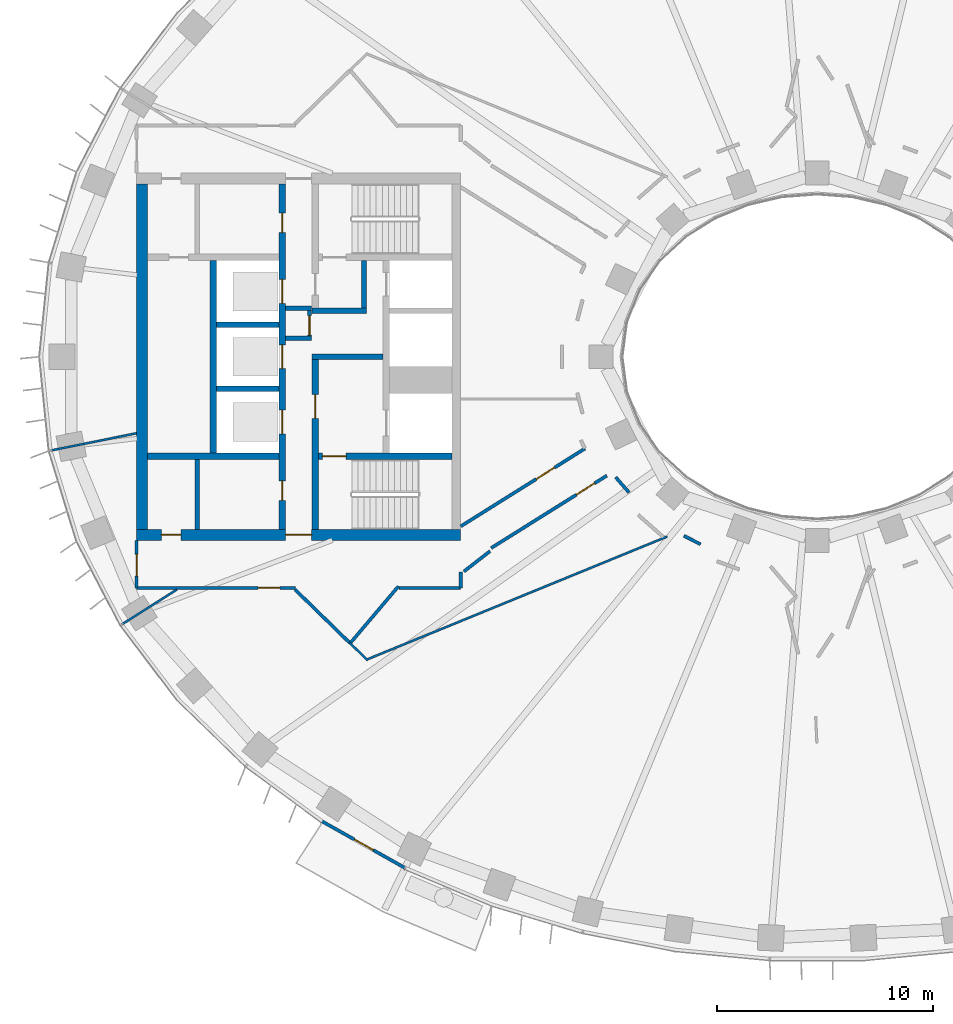
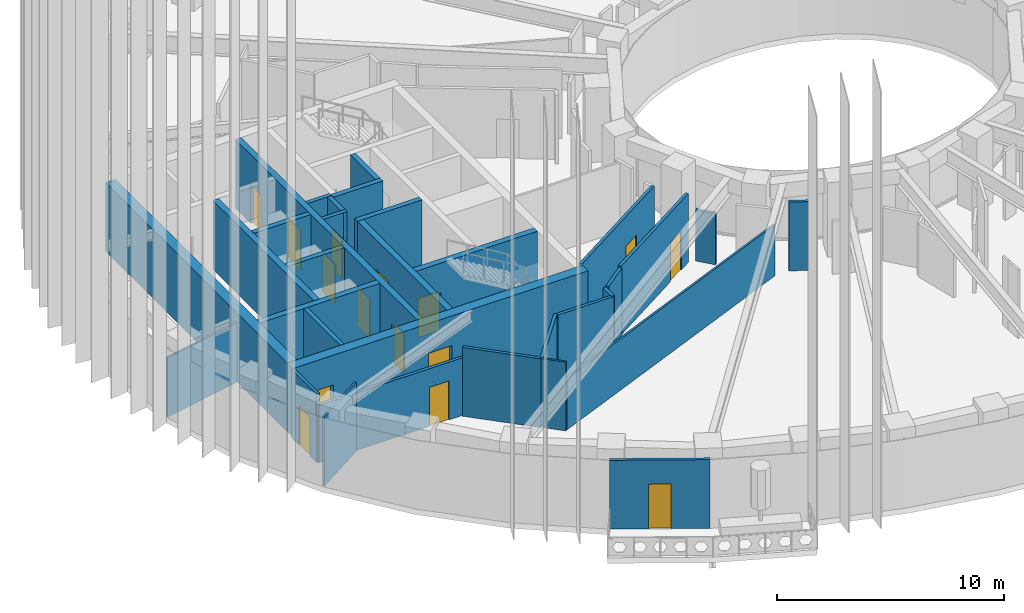
# One storey, part 3 of 19: 32 walls, 15 doors, 15 openings.
"""IFC4 building model written with IfcOpenShell, lengths in metres."""

import ifcopenshell
import ifcopenshell.guid

model = None  # the IFC model being written
_history = None  # IfcOwnerHistory: only IFC2X3 demands one
_inside = {}  # id of a spatial element -> (the spatial element, [elements in it])
_under = {}  # id of a project, library or spatial element -> (it, [spatial elements below it])
_declared = {}  # id of a project -> (the project, [libraries it declares])
_typed = {}  # id of a type object -> (the type object, [elements of that type])
_made_of = {}  # id of a material, layer set ... -> (it, [elements and type objects made of it])


def new_model(schema):
    """Start an empty IFC model of exactly this schema.

    Asked for "IFC4X3", IfcOpenShell would pick the latest addendum, in which some entities
    have other attributes; the version numbers below select the first issue.
    IFC2X3 requires an IfcOwnerHistory on every rooted entity: one is made here for all.
    """
    global model, _history
    if schema == "IFC4X3":
        model = ifcopenshell.file(schema_version=(4, 3, 0, 0))
    else:
        model = ifcopenshell.file(schema=schema)
    _inside.clear()
    _under.clear()
    _declared.clear()
    _typed.clear()
    _made_of.clear()
    _history = None
    if model.schema == "IFC2X3":
        org = make("IfcOrganization", Name="unknown")
        user = make(
            "IfcPersonAndOrganization",
            ThePerson=make("IfcPerson", FamilyName="unknown"),
            TheOrganization=org,
        )
        app = make(
            "IfcApplication",
            ApplicationDeveloper=org,
            Version="unknown",
            ApplicationFullName="unknown",
            ApplicationIdentifier="unknown",
        )
        _history = make(
            "IfcOwnerHistory",
            OwningUser=user,
            OwningApplication=app,
            ChangeAction="ADDED",
            CreationDate=0,
        )
    return model


def make(cls, **values):
    """One entity of the class cls with the attributes given. An attribute that is None is left unset."""
    return model.create_entity(
        cls, **{name: value for name, value in values.items() if value is not None}
    )


def rooted(cls, **values):
    """An entity with a GlobalId (a new one), such as an element, a storey or a relation."""
    return make(cls, GlobalId=ifcopenshell.guid.new(), OwnerHistory=_history, **values)


def si_unit(unit_type, name, prefix=None):
    """IfcSIUnit, for example si_unit("LENGTHUNIT", "METRE", prefix="MILLI")."""
    return make("IfcSIUnit", UnitType=unit_type, Prefix=prefix, Name=name)


def assignment(units):
    """IfcUnitAssignment: the units of a project."""
    return None if units is None else make("IfcUnitAssignment", Units=units)


def point(xyz):
    """IfcCartesianPoint."""
    return None if xyz is None else make("IfcCartesianPoint", Coordinates=xyz)


def direction(xyz):
    """IfcDirection."""
    return None if xyz is None else make("IfcDirection", DirectionRatios=xyz)


def frame(location, z_axis=None, x_axis=None):
    """IfcAxis2Placement3D, a coordinate frame: its origin and axes. An axis left out is left unset."""
    return make(
        "IfcAxis2Placement3D",
        Location=point(location),
        Axis=direction(z_axis),
        RefDirection=direction(x_axis),
    )


def frame_2d(location, x_axis=None):
    """IfcAxis2Placement2D, a coordinate frame in the plane: its origin and x axis."""
    return make(
        "IfcAxis2Placement2D", Location=point(location), RefDirection=direction(x_axis)
    )


def origin():
    """The frame at (0, 0, 0) with its axes left unset."""
    return frame((0.0, 0.0, 0.0))


def place(relative_to, where):
    """IfcLocalPlacement: puts the frame where relative to a parent placement (None: the world)."""
    return make(
        "IfcLocalPlacement", PlacementRelTo=relative_to, RelativePlacement=where
    )


def context(
    kind, dimensions, precision=None, world=None, true_north=None, identifier=None
):
    """IfcGeometricRepresentationContext, for example the 3D "Model" context."""
    return make(
        "IfcGeometricRepresentationContext",
        ContextIdentifier=identifier,
        ContextType=kind,
        CoordinateSpaceDimension=dimensions,
        Precision=precision,
        WorldCoordinateSystem=world,
        TrueNorth=true_north,
    )


def subcontext(parent, identifier, kind, view, scale=None):
    """IfcGeometricRepresentationSubContext, for example "Body" below "Model"."""
    return make(
        "IfcGeometricRepresentationSubContext",
        ContextIdentifier=identifier,
        ContextType=kind,
        ParentContext=parent,
        TargetScale=scale,
        TargetView=view,
    )


def project(units=None, contexts=None):
    """IfcProject with its units and contexts."""
    return rooted(
        "IfcProject",
        Name="project",
        RepresentationContexts=contexts,
        UnitsInContext=assignment(units),
    )


def spatial(cls, under=None, at=None, **own):
    """A site, building, storey or space (cls), placed at a placement, below another one or the project."""
    s = rooted(cls, ObjectPlacement=at, **own)
    if under is not None:
        _under.setdefault(under.id(), (under, []))[1].append(s)
    return s


def profile(cls, at=None, kind="AREA", **sizes):
    """A parametric profile (cls). Its sizes go by their IFC names, for example OverallWidth=200.0."""
    return make(cls, ProfileType=kind, Position=at, **sizes)


def rectangle(**sizes):
    """IfcRectangleProfileDef."""
    return profile("IfcRectangleProfileDef", **sizes)


def extrude(swept, where, along, depth):
    """IfcExtrudedAreaSolid: the profile swept, set in the frame where, extruded along a direction by depth."""
    return make(
        "IfcExtrudedAreaSolid",
        SweptArea=swept,
        Position=where,
        ExtrudedDirection=direction(along),
        Depth=depth,
    )


def shape(context_of_items, identifier, shape_type, items):
    """IfcShapeRepresentation: the items that make up one representation, for example the "Body"."""
    return make(
        "IfcShapeRepresentation",
        ContextOfItems=context_of_items,
        RepresentationIdentifier=identifier,
        RepresentationType=shape_type,
        Items=items,
    )


def material(Name=None, Category=None):
    """IfcMaterial."""
    return make("IfcMaterial", Name=Name, Category=Category)


def layer(
    of_material, thickness, ventilated=None, Name=None, Category=None, Priority=None
):
    """IfcMaterialLayer: one layer of a wall or slab, of a material (None: an air gap)."""
    return make(
        "IfcMaterialLayer",
        Material=of_material,
        LayerThickness=thickness,
        IsVentilated=ventilated,
        Name=Name,
        Category=Category,
        Priority=Priority,
    )


def layer_set(layers, Name=None):
    """IfcMaterialLayerSet."""
    return make("IfcMaterialLayerSet", MaterialLayers=layers, LayerSetName=Name)


def made_of(thing, what):
    """Note that an element or type object is made of a material, layer set ...; save() writes the relation."""
    if what is not None:
        _made_of.setdefault(what.id(), (what, []))[1].append(thing)
    return thing


def type_object(cls, material=None, **own):
    """A type object (cls), such as IfcWallType, which elements share."""
    return made_of(rooted(cls, **own), material)


def element(
    cls,
    number,
    at=None,
    inside=None,
    cuts=None,
    type_object=None,
    material=None,
    context=None,
    identifier="Body",
    shape_type=None,
    held_by="IfcProductDefinitionShape",
    body=None,
    shapes=None,
    **own,
):
    """One element of the class cls, such as IfcWall. Its Tag is "e" and its number.

    at: its placement. inside: the storey or other place that contains it. cuts: it is an
    opening in that element (IfcRelVoidsElement). A single representation is given by context,
    identifier, shape_type and body (its items); several are given by shapes. held_by: the class
    of the entity that holds the representations. save() writes the other relations.
    """
    e = rooted(cls, Tag="e%d" % number, ObjectPlacement=at, **own)
    if body is not None:
        shapes = [shape(context, identifier, shape_type, body)]
    if shapes is not None:
        e.Representation = make(held_by, Representations=shapes)
    if inside is not None:
        _inside.setdefault(inside.id(), (inside, []))[1].append(e)
    if cuts is not None:
        rooted(
            "IfcRelVoidsElement", RelatingBuildingElement=cuts, RelatedOpeningElement=e
        )
    if type_object is not None:
        _typed.setdefault(type_object.id(), (type_object, []))[1].append(e)
    return made_of(e, material)


def fill(opening, filler):
    """IfcRelFillsElement: the door or window that sits in an opening."""
    return rooted(
        "IfcRelFillsElement",
        RelatingOpeningElement=opening,
        RelatedBuildingElement=filler,
    )


def aggregate(whole, parts):
    """IfcRelAggregates: a whole, such as a stair, and the parts it consists of."""
    return rooted("IfcRelAggregates", RelatingObject=whole, RelatedObjects=parts)


def save(model, path):
    """Write the relations noted so far, then the file.

    IfcRelAggregates (storeys below a building ...), IfcRelContainedInSpatialStructure (elements
    in a storey), IfcRelDefinesByType, IfcRelAssociatesMaterial and IfcRelDeclares: one each for
    every whole, place, type object, material and project.
    """
    for whole, parts in _under.values():
        aggregate(whole, parts)
    for where, things in _inside.values():
        rooted(
            "IfcRelContainedInSpatialStructure",
            RelatedElements=things,
            RelatingStructure=where,
        )
    for kind, things in _typed.values():
        rooted("IfcRelDefinesByType", RelatedObjects=things, RelatingType=kind)
    for what, things in _made_of.values():
        rooted("IfcRelAssociatesMaterial", RelatedObjects=things, RelatingMaterial=what)
    for by, libraries in _declared.values():
        rooted("IfcRelDeclares", RelatingContext=by, RelatedDefinitions=libraries)
    model.write(path)


model = new_model("IFC4")

# Units and contexts
model_context = context("Model", 3, precision=1e-05, world=origin(), true_north=direction((0.0, 1.0)))
body_context = subcontext(model_context, "Body", "Model", "MODEL_VIEW")
ifc_project = project(units=[si_unit("LENGTHUNIT", "METRE"), si_unit("AREAUNIT", "SQUARE_METRE"), si_unit("VOLUMEUNIT", "CUBIC_METRE"), si_unit("PLANEANGLEUNIT", "RADIAN"), si_unit("MASSUNIT", "GRAM", prefix="KILO")], contexts=[model_context])

# Site, building, storey
site_placement = place(None, origin())
site = spatial("IfcSite", under=ifc_project, at=site_placement, CompositionType="ELEMENT")
building_placement = place(site_placement, origin())
building = spatial("IfcBuilding", under=site, at=building_placement, Name="Noorbagh Ring Tower", CompositionType="ELEMENT")
storey_placement = place(building_placement, frame((0.0, 0.0, 146.0)))
storey = spatial("IfcBuildingStorey", under=building, at=storey_placement, Name="L33", CompositionType="ELEMENT", Elevation=146.0)

# Walls
ifc_material_1 = material(Name="Gypsum board on steel studs", Category="steel")
ifc_layer_1 = layer(ifc_material_1, 0.199951171875)
ifc_layer_set_1 = layer_set([ifc_layer_1], Name="Gypsum board on steel studs")
wall_type_1 = type_object("IfcWallType", Name="CORE-PARTITION-200", PredefinedType="PARTITIONING", material=ifc_layer_set_1)
for number, where, z_axis, x_axis, name in (
    (1, (-23.39990234375, 0.85009765625, 0.0), (0.0, 0.0, 1.0), (-1.0, 0.0, 0.0), "Core partition W"),
    (2, (-23.39990234375, 2.25, 0.0), (0.0, 0.0, 1.0), (-1.0, 0.0, 0.0), "Core partition W"),
):
    element("IfcWall", number, at=place(storey_placement, frame(where, z_axis=z_axis, x_axis=x_axis)), inside=storey, type_object=wall_type_1, Name=name, PredefinedType="PARTITIONING", context=body_context, shape_type="SweptSolid", body=[
        extrude(rectangle(XDim=1.2001953125, YDim=0.199951171875, at=frame_2d((0.60009765625, 0.0))), origin(), (0.0, 0.0, 1.0), 3.699951171875),
    ])

# Wall, opening, door
wall_1_placement = place(storey_placement, frame((-23.5, 0.75, 0.0), z_axis=(0.0, 0.0, 1.0), x_axis=(0.0, 1.0, 0.0)))
wall_1 = element("IfcWall", 3, at=wall_1_placement, inside=storey, type_object=wall_type_1, Name="Core partition W", PredefinedType="PARTITIONING", context=body_context, shape_type="SweptSolid", body=[
    extrude(rectangle(XDim=1.60009765625, YDim=0.199951171875, at=frame_2d((0.800048828125, 0.0))), origin(), (0.0, 0.0, 1.0), 3.699951171875),
])
opening_1_placement = place(wall_1_placement, frame((0.25, 0.0, 0.0)))
opening_1 = element("IfcOpeningElement", 4, at=opening_1_placement, cuts=wall_1, Name="Opening L33-CW16", PredefinedType="OPENING", context=body_context, shape_type="SweptSolid", body=[
    extrude(rectangle(XDim=0.89990234375, YDim=2.10009765625, at=frame_2d((0.449951171875, 1.050048828125))), frame((0.0, 0.10986328125, 0.0), z_axis=(0.0, -1.0, 0.0), x_axis=(1.0, 0.0, 0.0)), (0.0, 0.0, 1.0), 0.219970703125),
])
ifc_material_2 = material(Name="Steel door leaf", Category="steel")
door_type_1 = type_object("IfcDoorType", Name="CORE-DOOR-DROOM", OperationType="SINGLE_SWING_LEFT", PredefinedType="DOOR", material=ifc_material_2)
door_1_placement = place(opening_1_placement, origin())
door_1 = element("IfcDoor", 5, at=door_1_placement, inside=storey, type_object=door_type_1, Name="Core room door L33-CW16", OperationType="SINGLE_SWING_RIGHT", OverallHeight=2.10009765625, OverallWidth=0.89990234375, PredefinedType="DOOR", context=body_context, shape_type="SweptSolid", body=[
    extrude(rectangle(XDim=0.89990234375, YDim=2.10009765625, at=frame_2d((0.449951171875, 1.050048828125))), frame((0.0, 0.02490234375, 0.0), z_axis=(0.0, -1.0, 0.0), x_axis=(1.0, 0.0, 0.0)), (0.0, 0.0, 1.0), 0.050048828125),
])
fill(opening_1, door_1)

# Walls
wall_2_placement = place(storey_placement, frame((-28.699951171875, -8.0, 0.0), z_axis=(0.0, 0.0, 1.0), x_axis=(0.0, 1.0, 0.0)))
element("IfcWall", 6, at=wall_2_placement, inside=storey, type_object=wall_type_1, Name="Core partition W", PredefinedType="PARTITIONING", context=body_context, shape_type="SweptSolid", body=[
    extrude(rectangle(XDim=3.25, YDim=0.199951171875, at=frame_2d((1.625, 0.0))), origin(), (0.0, 0.0, 1.0), 3.699951171875),
])
ifc_material_3 = material(Name="Concrete C60/75", Category="concrete")
ifc_layer_2 = layer(ifc_material_3, 0.25)
ifc_layer_set_2 = layer_set([ifc_layer_2], Name="Concrete C60/75")
wall_type_2 = type_object("IfcWallType", Name="CORE-WALL-250-C60-75-EI120", PredefinedType="SHEAR", material=ifc_layer_set_2)
for number, where, z_axis, x_axis, name in (
    (7, (-24.89990234375, -1.47509765625, 0.0), (0.0, 0.0, 1.0), (-1.0, 0.0, 0.0), "Core wall W"),
    (8, (-24.89990234375, 1.47509765625, 0.0), (0.0, 0.0, 1.0), (-1.0, 0.0, 0.0), "Core wall W"),
):
    element("IfcWall", number, at=place(storey_placement, frame(where, z_axis=z_axis, x_axis=x_axis)), inside=storey, type_object=wall_type_2, Name=name, PredefinedType="SHEAR", context=body_context, shape_type="SweptSolid", body=[
        extrude(rectangle(XDim=2.900146484375, YDim=0.25, at=frame_2d((1.4501953125, 0.0))), origin(), (0.0, 0.0, 1.0), 3.699951171875),
    ])
ifc_material_4 = material(Name="Concrete C60/75", Category="concrete")
ifc_layer_3 = layer(ifc_material_4, 0.25)
ifc_layer_set_3 = layer_set([ifc_layer_3], Name="Concrete C60/75")
wall_type_3 = type_object("IfcWallType", Name="CORE-WALL-250-C60-75-EI240", PredefinedType="SHEAR", material=ifc_layer_set_3)
wall_3_placement = place(storey_placement, frame((-20.10009765625, 0.0, 0.0), z_axis=(0.0, 0.0, 1.0), x_axis=(-1.0, 0.0, 0.0)))
element("IfcWall", 9, at=wall_3_placement, inside=storey, type_object=wall_type_3, Name="Core wall W", PredefinedType="SHEAR", context=body_context, shape_type="SweptSolid", body=[
    extrude(rectangle(XDim=3.27978515625, YDim=0.25, at=frame_2d((1.639892578125, 0.0))), origin(), (0.0, 0.0, 1.0), 3.699951171875),
])
wall_4_placement = place(storey_placement, frame((-20.85009765625, 2.125, 0.0), z_axis=(0.0, 0.0, 1.0), x_axis=(-1.0, 0.0, 0.0)))
element("IfcWall", 10, at=wall_4_placement, inside=storey, type_object=wall_type_3, Name="Core wall W", PredefinedType="SHEAR", context=body_context, shape_type="SweptSolid", body=[
    extrude(rectangle(XDim=2.52978515625, YDim=0.25, at=frame_2d((1.264892578125, 0.0))), origin(), (0.0, 0.0, 1.0), 3.699951171875),
])
wall_5_placement = place(storey_placement, frame((-20.97509765625, 2.25, 0.0), z_axis=(0.0, 0.0, 1.0), x_axis=(0.0, 1.0, 0.0)))
element("IfcWall", 11, at=wall_5_placement, inside=storey, type_object=wall_type_3, Name="Core wall W", PredefinedType="SHEAR", context=body_context, shape_type="SweptSolid", body=[
    extrude(rectangle(XDim=2.199951171875, YDim=0.25, at=frame_2d((1.10009765625, 0.0))), origin(), (0.0, 0.0, 1.0), 3.699951171875),
])
ifc_material_5 = material(Name="Concrete C60/75", Category="concrete")
ifc_layer_4 = layer(ifc_material_5, 0.300048828125)
ifc_layer_set_4 = layer_set([ifc_layer_4], Name="Concrete C60/75")
wall_type_4 = type_object("IfcWallType", Name="CORE-WALL-300-C60-75-EI120", PredefinedType="SHEAR", material=ifc_layer_set_4)
wall_6_placement = place(storey_placement, frame((-27.949951171875, -4.449951171875, 0.0), z_axis=(0.0, 0.0, 1.0), x_axis=(0.0, 1.0, 0.0)))
element("IfcWall", 12, at=wall_6_placement, inside=storey, type_object=wall_type_4, Name="Core wall W", PredefinedType="SHEAR", context=body_context, shape_type="SweptSolid", body=[
    extrude(rectangle(XDim=8.89990234375, YDim=0.300048828125, at=frame_2d((4.449951171875, 0.0))), origin(), (0.0, 0.0, 1.0), 3.699951171875),
])

# Wall, openings, doors
wall_7_placement = place(storey_placement, frame((-24.75, -8.0, 0.0), z_axis=(0.0, 0.0, 1.0), x_axis=(0.0, 1.0, 0.0)))
wall_7 = element("IfcWall", 13, at=wall_7_placement, inside=storey, type_object=wall_type_4, Name="Core wall W", PredefinedType="SHEAR", context=body_context, shape_type="SweptSolid", body=[
    extrude(rectangle(XDim=16.0, YDim=0.300048828125, at=frame_2d((8.0, 0.0))), origin(), (0.0, 0.0, 1.0), 3.699951171875),
])
opening_2_placement = place(wall_7_placement, frame((4.425048828125, 0.0, 0.0)))
opening_2 = element("IfcOpeningElement", 14, at=opening_2_placement, cuts=wall_7, Name="Opening L33-CW03", PredefinedType="OPENING", context=body_context, shape_type="SweptSolid", body=[
    extrude(rectangle(XDim=1.10009765625, YDim=2.10009765625, at=frame_2d((0.550048828125, 1.050048828125))), frame((0.0, 0.16015625, 0.0), z_axis=(0.0, -1.0, 0.0), x_axis=(1.0, 0.0, 0.0)), (0.0, 0.0, 1.0), 0.320068359375),
])
opening_3_placement = place(wall_7_placement, frame((7.449951171875, 0.0, 0.0)))
opening_3 = element("IfcOpeningElement", 15, at=opening_3_placement, cuts=wall_7, Name="Opening L33-CW04", PredefinedType="OPENING", context=body_context, shape_type="SweptSolid", body=[
    extrude(rectangle(XDim=1.10009765625, YDim=2.10009765625, at=frame_2d((0.550048828125, 1.050048828125))), frame((0.0, 0.16015625, 0.0), z_axis=(0.0, -1.0, 0.0), x_axis=(1.0, 0.0, 0.0)), (0.0, 0.0, 1.0), 0.320068359375),
])
opening_4_placement = place(wall_7_placement, frame((10.47509765625, 0.0, 0.0)))
opening_4 = element("IfcOpeningElement", 16, at=opening_4_placement, cuts=wall_7, Name="Opening L33-CW05", PredefinedType="OPENING", context=body_context, shape_type="SweptSolid", body=[
    extrude(rectangle(XDim=1.10009765625, YDim=2.10009765625, at=frame_2d((0.550048828125, 1.050048828125))), frame((0.0, 0.16015625, 0.0), z_axis=(0.0, -1.0, 0.0), x_axis=(1.0, 0.0, 0.0)), (0.0, 0.0, 1.0), 0.320068359375),
])
opening_5_placement = place(wall_7_placement, frame((13.75, 0.0, 0.0)))
opening_5 = element("IfcOpeningElement", 17, at=opening_5_placement, cuts=wall_7, Name="Opening L33-CW12", PredefinedType="OPENING", context=body_context, shape_type="SweptSolid", body=[
    extrude(rectangle(XDim=0.89990234375, YDim=2.10009765625, at=frame_2d((0.449951171875, 1.050048828125))), frame((0.0, 0.16015625, 0.0), z_axis=(0.0, -1.0, 0.0), x_axis=(1.0, 0.0, 0.0)), (0.0, 0.0, 1.0), 0.320068359375),
])
opening_6_placement = place(wall_7_placement, frame((1.35009765625, 0.0, 0.0)))
opening_6 = element("IfcOpeningElement", 18, at=opening_6_placement, cuts=wall_7, Name="Opening L33-CW14", PredefinedType="OPENING", context=body_context, shape_type="SweptSolid", body=[
    extrude(rectangle(XDim=0.89990234375, YDim=2.10009765625, at=frame_2d((0.449951171875, 1.050048828125))), frame((0.0, 0.16015625, 0.0), z_axis=(0.0, -1.0, 0.0), x_axis=(1.0, 0.0, 0.0)), (0.0, 0.0, 1.0), 0.320068359375),
])
door_2_placement = place(opening_5_placement, origin())
door_2 = element("IfcDoor", 19, at=door_2_placement, inside=storey, type_object=door_type_1, Name="Core room door L33-CW12", OperationType="SINGLE_SWING_RIGHT", OverallHeight=2.10009765625, OverallWidth=0.89990234375, PredefinedType="DOOR", context=body_context, shape_type="SweptSolid", body=[
    extrude(rectangle(XDim=0.89990234375, YDim=2.10009765625, at=frame_2d((0.449951171875, 1.050048828125))), frame((0.0, 0.02490234375, 0.0), z_axis=(0.0, -1.0, 0.0), x_axis=(1.0, 0.0, 0.0)), (0.0, 0.0, 1.0), 0.050048828125),
])
fill(opening_5, door_2)
door_3_placement = place(opening_6_placement, origin())
door_3 = element("IfcDoor", 20, at=door_3_placement, inside=storey, type_object=door_type_1, Name="Core room door L33-CW14", OperationType="SINGLE_SWING_LEFT", OverallHeight=2.10009765625, OverallWidth=0.89990234375, PredefinedType="DOOR", context=body_context, shape_type="SweptSolid", body=[
    extrude(rectangle(XDim=0.89990234375, YDim=2.10009765625, at=frame_2d((0.449951171875, 1.050048828125))), frame((0.0, 0.02490234375, 0.0), z_axis=(0.0, -1.0, 0.0), x_axis=(1.0, 0.0, 0.0)), (0.0, 0.0, 1.0), 0.050048828125),
])
fill(opening_6, door_3)
ifc_material_6 = material(Name="Steel door leaf", Category="steel")
door_type_2 = type_object("IfcDoorType", Name="CORE-DOOR-LD", OperationType="DOUBLE_DOOR_SLIDING", PredefinedType="DOOR", material=ifc_material_6)
door_4_placement = place(opening_2_placement, origin())
door_4 = element("IfcDoor", 21, at=door_4_placement, inside=storey, type_object=door_type_2, Name="Landing door HR2 L33-CW03", OperationType="DOUBLE_DOOR_SLIDING", OverallHeight=2.10009765625, OverallWidth=1.10009765625, PredefinedType="DOOR", context=body_context, shape_type="SweptSolid", body=[
    extrude(rectangle(XDim=1.10009765625, YDim=2.10009765625, at=frame_2d((0.550048828125, 1.050048828125))), frame((0.0, 0.02490234375, 0.0), z_axis=(0.0, -1.0, 0.0), x_axis=(1.0, 0.0, 0.0)), (0.0, 0.0, 1.0), 0.050048828125),
])
fill(opening_2, door_4)
door_5_placement = place(opening_3_placement, origin())
door_5 = element("IfcDoor", 22, at=door_5_placement, inside=storey, type_object=door_type_2, Name="Landing door HR3 L33-CW04", OperationType="DOUBLE_DOOR_SLIDING", OverallHeight=2.10009765625, OverallWidth=1.10009765625, PredefinedType="DOOR", context=body_context, shape_type="SweptSolid", body=[
    extrude(rectangle(XDim=1.10009765625, YDim=2.10009765625, at=frame_2d((0.550048828125, 1.050048828125))), frame((0.0, 0.02490234375, 0.0), z_axis=(0.0, -1.0, 0.0), x_axis=(1.0, 0.0, 0.0)), (0.0, 0.0, 1.0), 0.050048828125),
])
fill(opening_3, door_5)
door_6_placement = place(opening_4_placement, origin())
door_6 = element("IfcDoor", 23, at=door_6_placement, inside=storey, type_object=door_type_2, Name="Landing door HR4 L33-CW05", OperationType="DOUBLE_DOOR_SLIDING", OverallHeight=2.10009765625, OverallWidth=1.10009765625, PredefinedType="DOOR", context=body_context, shape_type="SweptSolid", body=[
    extrude(rectangle(XDim=1.10009765625, YDim=2.10009765625, at=frame_2d((0.550048828125, 1.050048828125))), frame((0.0, 0.02490234375, 0.0), z_axis=(0.0, -1.0, 0.0), x_axis=(1.0, 0.0, 0.0)), (0.0, 0.0, 1.0), 0.050048828125),
])
fill(opening_4, door_6)

# Wall
ifc_material_7 = material(Name="Concrete C60/75", Category="concrete")
ifc_layer_5 = layer(ifc_material_7, 0.300048828125)
ifc_layer_set_5 = layer_set([ifc_layer_5], Name="Concrete C60/75")
wall_type_5 = type_object("IfcWallType", Name="CORE-WALL-300-C60-75-EI240", PredefinedType="SHEAR", material=ifc_layer_set_5)
wall_8_placement = place(storey_placement, frame((-24.89990234375, -4.60009765625, 0.0), z_axis=(0.0, 0.0, 1.0), x_axis=(-1.0, 0.0, 0.0)))
element("IfcWall", 24, at=wall_8_placement, inside=storey, type_object=wall_type_5, Name="Core wall W", PredefinedType="SHEAR", context=body_context, shape_type="SweptSolid", body=[
    extrude(rectangle(XDim=6.10009765625, YDim=0.300048828125, at=frame_2d((3.050048828125, 0.0))), origin(), (0.0, 0.0, 1.0), 3.699951171875),
])

# Wall, opening, door
wall_9_placement = place(storey_placement, frame((-23.22998046875, -8.0, 0.0), z_axis=(0.0, 0.0, 1.0), x_axis=(0.0, 1.0, 0.0)))
wall_9 = element("IfcWall", 25, at=wall_9_placement, inside=storey, type_object=wall_type_5, Name="Core wall W", PredefinedType="SHEAR", context=body_context, shape_type="SweptSolid", body=[
    extrude(rectangle(XDim=7.875, YDim=0.300048828125, at=frame_2d((3.9375, 0.0))), origin(), (0.0, 0.0, 1.0), 3.699951171875),
])
opening_7_placement = place(wall_9_placement, frame((5.14990234375, 0.0, 0.0)))
opening_7 = element("IfcOpeningElement", 26, at=opening_7_placement, cuts=wall_9, Name="Opening L33-CW08", PredefinedType="OPENING", context=body_context, shape_type="SweptSolid", body=[
    extrude(rectangle(XDim=1.10009765625, YDim=2.10009765625, at=frame_2d((0.550048828125, 1.050048828125))), frame((0.0, 0.16015625, 0.0), z_axis=(0.0, -1.0, 0.0), x_axis=(1.0, 0.0, 0.0)), (0.0, 0.0, 1.0), 0.320068359375),
])
ifc_material_8 = material(Name="Steel door leaf", Category="steel")
door_type_3 = type_object("IfcDoorType", Name="CORE-DOOR-DFF", OperationType="SINGLE_SWING_LEFT", PredefinedType="DOOR", material=ifc_material_8)
door_7_placement = place(opening_7_placement, origin())
door_7 = element("IfcDoor", 27, at=door_7_placement, inside=storey, type_object=door_type_3, Name="Firefighting lobby door L33-CW08", OperationType="SINGLE_SWING_LEFT", OverallHeight=2.10009765625, OverallWidth=1.10009765625, PredefinedType="DOOR", context=body_context, shape_type="SweptSolid", body=[
    extrude(rectangle(XDim=1.10009765625, YDim=2.10009765625, at=frame_2d((0.550048828125, 1.050048828125))), frame((0.0, 0.02490234375, 0.0), z_axis=(0.0, -1.0, 0.0), x_axis=(1.0, 0.0, 0.0)), (0.0, 0.0, 1.0), 0.050048828125),
])
fill(opening_7, door_7)

wall_10_placement = place(storey_placement, frame((-16.89990234375, -4.60009765625, 0.0), z_axis=(0.0, 0.0, 1.0), x_axis=(-1.0, 0.0, 0.0)))
wall_10 = element("IfcWall", 28, at=wall_10_placement, inside=storey, type_object=wall_type_5, Name="Core wall W", PredefinedType="SHEAR", context=body_context, shape_type="SweptSolid", body=[
    extrude(rectangle(XDim=6.18017578125, YDim=0.300048828125, at=frame_2d((3.090087890625, 0.0))), origin(), (0.0, 0.0, 1.0), 3.699951171875),
])
opening_8_placement = place(wall_10_placement, frame((4.89990234375, 0.0, 0.0)))
opening_8 = element("IfcOpeningElement", 29, at=opening_8_placement, cuts=wall_10, Name="Opening L33-CW07", PredefinedType="OPENING", context=body_context, shape_type="SweptSolid", body=[
    extrude(rectangle(XDim=1.10009765625, YDim=2.10009765625, at=frame_2d((0.550048828125, 1.050048828125))), frame((0.0, 0.16015625, 0.0), z_axis=(0.0, -1.0, 0.0), x_axis=(1.0, 0.0, 0.0)), (0.0, 0.0, 1.0), 0.320068359375),
])
ifc_material_9 = material(Name="Steel door leaf", Category="steel")
door_type_4 = type_object("IfcDoorType", Name="CORE-DOOR-DSTAIR", OperationType="SINGLE_SWING_LEFT", PredefinedType="DOOR", material=ifc_material_9)
door_8_placement = place(opening_8_placement, origin())
door_8 = element("IfcDoor", 30, at=door_8_placement, inside=storey, type_object=door_type_4, Name="Stair door ST2 L33-CW07", OperationType="SINGLE_SWING_LEFT", OverallHeight=2.10009765625, OverallWidth=1.10009765625, PredefinedType="DOOR", context=body_context, shape_type="SweptSolid", body=[
    extrude(rectangle(XDim=1.10009765625, YDim=2.10009765625, at=frame_2d((0.550048828125, 1.050048828125))), frame((0.0, 0.02490234375, 0.0), z_axis=(0.0, -1.0, 0.0), x_axis=(1.0, 0.0, 0.0)), (0.0, 0.0, 1.0), 0.050048828125),
])
fill(opening_8, door_8)

# Wall, openings, doors
ifc_material_10 = material(Name="Concrete C60/75", Category="concrete")
ifc_layer_6 = layer(ifc_material_10, 0.5)
ifc_layer_set_6 = layer_set([ifc_layer_6], Name="Concrete C60/75")
wall_type_6 = type_object("IfcWallType", Name="CORE-WALL-500-C60-75-EI240", PredefinedType="SHEAR", material=ifc_layer_set_6)
wall_11_placement = place(storey_placement, frame((-16.5, -8.25, 0.0), z_axis=(0.0, 0.0, 1.0), x_axis=(-1.0, 0.0, 0.0)))
wall_11 = element("IfcWall", 31, at=wall_11_placement, inside=storey, type_object=wall_type_6, Name="Core wall W", PredefinedType="SHEAR", context=body_context, shape_type="SweptSolid", body=[
    extrude(rectangle(XDim=15.0, YDim=0.5, at=frame_2d((7.5, 0.0))), origin(), (0.0, 0.0, 1.0), 3.699951171875),
])
opening_9_placement = place(wall_11_placement, frame((6.89990234375, 0.0, 0.0)))
opening_9 = element("IfcOpeningElement", 32, at=opening_9_placement, cuts=wall_11, Name="Opening L33-CW11", PredefinedType="OPENING", context=body_context, shape_type="SweptSolid", body=[
    extrude(rectangle(XDim=1.199951171875, YDim=2.10009765625, at=frame_2d((0.60009765625, 1.050048828125))), frame((0.0, 0.260009765625, 0.0), z_axis=(0.0, -1.0, 0.0), x_axis=(1.0, 0.0, 0.0)), (0.0, 0.0, 1.0), 0.52001953125),
])
opening_10_placement = place(wall_11_placement, frame((12.949951171875, 0.0, 0.0)))
opening_10 = element("IfcOpeningElement", 33, at=opening_10_placement, cuts=wall_11, Name="Opening L33-CW15", PredefinedType="OPENING", context=body_context, shape_type="SweptSolid", body=[
    extrude(rectangle(XDim=0.89990234375, YDim=2.10009765625, at=frame_2d((0.449951171875, 1.050048828125))), frame((0.0, 0.260009765625, 0.0), z_axis=(0.0, -1.0, 0.0), x_axis=(1.0, 0.0, 0.0)), (0.0, 0.0, 1.0), 0.52001953125),
])
door_9_placement = place(opening_10_placement, origin())
door_9 = element("IfcDoor", 34, at=door_9_placement, inside=storey, type_object=door_type_1, Name="Core room door L33-CW15", OperationType="SINGLE_SWING_LEFT", OverallHeight=2.10009765625, OverallWidth=0.89990234375, PredefinedType="DOOR", context=body_context, shape_type="SweptSolid", body=[
    extrude(rectangle(XDim=0.89990234375, YDim=2.10009765625, at=frame_2d((0.449951171875, 1.050048828125))), frame((0.0, 0.02490234375, 0.0), z_axis=(0.0, -1.0, 0.0), x_axis=(1.0, 0.0, 0.0)), (0.0, 0.0, 1.0), 0.050048828125),
])
fill(opening_10, door_9)
ifc_material_11 = material(Name="Steel door leaf", Category="steel")
door_type_5 = type_object("IfcDoorType", Name="CORE-DOOR-PORT", OperationType="DOUBLE_DOOR_DOUBLE_SWING", PredefinedType="DOOR", material=ifc_material_11)
door_10_placement = place(opening_9_placement, origin())
door_10 = element("IfcDoor", 35, at=door_10_placement, inside=storey, type_object=door_type_5, Name="Core entrance door L33-CW11", OperationType="DOUBLE_DOOR_DOUBLE_SWING", OverallHeight=2.10009765625, OverallWidth=1.199951171875, PredefinedType="DOOR", context=body_context, shape_type="SweptSolid", body=[
    extrude(rectangle(XDim=1.199951171875, YDim=2.10009765625, at=frame_2d((0.60009765625, 1.050048828125))), frame((0.0, 0.02490234375, 0.0), z_axis=(0.0, -1.0, 0.0), x_axis=(1.0, 0.0, 0.0)), (0.0, 0.0, 1.0), 0.050048828125),
])
fill(opening_9, door_10)

# Wall
wall_12_placement = place(storey_placement, frame((-31.25, -8.0, 0.0), z_axis=(0.0, 0.0, 1.0), x_axis=(0.0, 1.0, 0.0)))
element("IfcWall", 36, at=wall_12_placement, inside=storey, type_object=wall_type_6, Name="Core wall W", PredefinedType="SHEAR", context=body_context, shape_type="SweptSolid", body=[
    extrude(rectangle(XDim=16.0, YDim=0.5, at=frame_2d((8.0, 0.0))), origin(), (0.0, 0.0, 1.0), 3.699951171875),
])

# Wall, opening, door
ifc_material_12 = material(Name="Gypsum board on steel studs", Category="steel")
ifc_layer_7 = layer(ifc_material_12, 0.14990234375)
ifc_layer_set_7 = layer_set([ifc_layer_7], Name="Gypsum board on steel studs")
wall_type_7 = type_object("IfcWallType", Name="CORRIDOR PARTITION 150 EI 30", PredefinedType="PARTITIONING", material=ifc_layer_set_7)
wall_13_placement = place(storey_placement, frame((-31.5, -10.699951171875, 0.0), z_axis=(0.0, 0.0, 1.0), x_axis=(0.0, 1.0, 0.0)))
wall_13 = element("IfcWall", 37, at=wall_13_placement, inside=storey, type_object=wall_type_7, Name="L33/wall/P04", PredefinedType="PARTITIONING", context=body_context, shape_type="SweptSolid", body=[
    extrude(rectangle(XDim=2.199951171875, YDim=0.14990234375, at=frame_2d((1.10009765625, 0.0))), origin(), (0.0, 0.0, 1.0), 3.699951171875),
])
opening_11_placement = place(wall_13_placement, frame((0.550048828125, 0.0, 0.0)))
opening_11 = element("IfcOpeningElement", 38, at=opening_11_placement, cuts=wall_13, Name="Opening D1", PredefinedType="OPENING", context=body_context, shape_type="SweptSolid", body=[
    extrude(rectangle(XDim=1.0, YDim=2.10009765625, at=frame_2d((0.5, 1.050048828125))), frame((0.0, 0.0849609375, 0.0), z_axis=(0.0, -1.0, 0.0), x_axis=(1.0, 0.0, 0.0)), (0.0, 0.0, 1.0), 0.169921875),
])
ifc_material_13 = material(Name="Timber, painted", Category="wood")
door_type_6 = type_object("IfcDoorType", Name="DOOR 1000 X 2100 FD30", OperationType="SINGLE_SWING_LEFT", PredefinedType="DOOR", material=ifc_material_13)
door_11_placement = place(opening_11_placement, origin())
door_11 = element("IfcDoor", 39, at=door_11_placement, inside=storey, type_object=door_type_6, Name="L33-D06", OperationType="SINGLE_SWING_RIGHT", OverallHeight=2.10009765625, OverallWidth=1.0, PredefinedType="DOOR", context=body_context, shape_type="SweptSolid", body=[
    extrude(rectangle(XDim=1.0, YDim=2.10009765625, at=frame_2d((0.5, 1.050048828125))), frame((0.0, 0.02490234375, 0.0), z_axis=(0.0, -1.0, 0.0), x_axis=(1.0, 0.0, 0.0)), (0.0, 0.0, 1.0), 0.050048828125),
])
fill(opening_11, door_11)

wall_14_placement = place(storey_placement, frame((-31.5, -10.699951171875, 0.0), z_axis=(0.0, 0.0, 1.0), x_axis=(1.0, 0.0, 0.0)))
wall_14 = element("IfcWall", 40, at=wall_14_placement, inside=storey, type_object=wall_type_7, Name="L33/wall/P05", PredefinedType="PARTITIONING", context=body_context, shape_type="SweptSolid", body=[
    extrude(rectangle(XDim=7.361083984375, YDim=0.14990234375, at=frame_2d((3.6806640625, 0.0))), origin(), (0.0, 0.0, 1.0), 3.10009765625),
])
opening_12_placement = place(wall_14_placement, frame((5.62890625, 0.0, 0.0)))
opening_12 = element("IfcOpeningElement", 41, at=opening_12_placement, cuts=wall_14, Name="Opening D1", PredefinedType="OPENING", context=body_context, shape_type="SweptSolid", body=[
    extrude(rectangle(XDim=1.0, YDim=2.10009765625, at=frame_2d((0.5, 1.050048828125))), frame((0.0, 0.0849609375, 0.0), z_axis=(0.0, -1.0, 0.0), x_axis=(1.0, 0.0, 0.0)), (0.0, 0.0, 1.0), 0.169921875),
])
door_12_placement = place(opening_12_placement, origin())
door_12 = element("IfcDoor", 42, at=door_12_placement, inside=storey, type_object=door_type_6, Name="L33-D08", OperationType="SINGLE_SWING_RIGHT", OverallHeight=2.10009765625, OverallWidth=1.0, PredefinedType="DOOR", context=body_context, shape_type="SweptSolid", body=[
    extrude(rectangle(XDim=1.0, YDim=2.10009765625, at=frame_2d((0.5, 1.050048828125))), frame((0.0, 0.02490234375, 0.0), z_axis=(0.0, -1.0, 0.0), x_axis=(1.0, 0.0, 0.0)), (0.0, 0.0, 1.0), 0.050048828125),
])
fill(opening_12, door_12)

# Walls
wall_15_placement = place(storey_placement, frame((-24.166015625, -10.778076171875, 0.0), z_axis=(0.0, 0.0, 1.0), x_axis=(0.715930732039, -0.698171316313, 0.0)))
element("IfcWall", 43, at=wall_15_placement, inside=storey, type_object=wall_type_7, Name="L33/wall/P08", PredefinedType="PARTITIONING", context=body_context, shape_type="SweptSolid", body=[
    extrude(rectangle(XDim=3.560546875, YDim=0.14990234375, at=frame_2d((1.7802734375, 0.0))), origin(), (0.0, 0.0, 1.0), 3.699951171875),
])
wall_16_placement = place(storey_placement, frame((-21.616943359375, -13.263916015625, 0.0), z_axis=(0.0, 0.0, 1.0), x_axis=(0.646521695402, 0.762895600574, 0.0)))
element("IfcWall", 44, at=wall_16_placement, inside=storey, type_object=wall_type_7, Name="L33/wall/P11", PredefinedType="PARTITIONING", context=body_context, shape_type="SweptSolid", body=[
    extrude(rectangle(XDim=3.455322265625, YDim=0.14990234375, at=frame_2d((1.7275390625, 0.0))), origin(), (0.0, 0.0, 1.0), 3.699951171875),
])
wall_17_placement = place(storey_placement, frame((-19.346923828125, -10.699951171875, 0.0), z_axis=(0.0, 0.0, 1.0), x_axis=(1.0, 0.0, 0.0)))
element("IfcWall", 45, at=wall_17_placement, inside=storey, type_object=wall_type_7, Name="L33/wall/P16", PredefinedType="PARTITIONING", context=body_context, shape_type="SweptSolid", body=[
    extrude(rectangle(XDim=2.846923828125, YDim=0.14990234375, at=frame_2d((1.42333984375, 0.0))), origin(), (0.0, 0.0, 1.0), 3.699951171875),
])
wall_18_placement = place(storey_placement, frame((-16.5, -10.699951171875, 0.0), z_axis=(0.0, 0.0, 1.0), x_axis=(0.0, 1.0, 0.0)))
element("IfcWall", 46, at=wall_18_placement, inside=storey, type_object=wall_type_7, Name="L33/wall/P18", PredefinedType="PARTITIONING", context=body_context, shape_type="SweptSolid", body=[
    extrude(rectangle(XDim=0.73583984375, YDim=0.14990234375, at=frame_2d((0.367919921875, 0.0))), origin(), (0.0, 0.0, 1.0), 3.699951171875),
])

# Wall, opening, door
wall_19_placement = place(storey_placement, frame((-16.5, -7.85107421875, 0.0), z_axis=(0.0, 0.0, 1.0), x_axis=(0.847690706888, 0.530490777917, 0.0)))
wall_19 = element("IfcWall", 47, at=wall_19_placement, inside=storey, type_object=wall_type_7, Name="L33/wall/P21", PredefinedType="PARTITIONING", context=body_context, shape_type="SweptSolid", body=[
    extrude(rectangle(XDim=6.78076171875, YDim=0.14990234375, at=frame_2d((3.390380859375, 0.0))), origin(), (0.0, 0.0, 1.0), 3.699951171875),
])
opening_13_placement = place(wall_19_placement, frame((4.130615234375, 0.0, 0.0)))
opening_13 = element("IfcOpeningElement", 48, at=opening_13_placement, cuts=wall_19, Name="Opening D1", PredefinedType="OPENING", context=body_context, shape_type="SweptSolid", body=[
    extrude(rectangle(XDim=1.0, YDim=2.10009765625, at=frame_2d((0.5, 1.050048828125))), frame((0.0, 0.0849609375, 0.0), z_axis=(0.0, -1.0, 0.0), x_axis=(1.0, 0.0, 0.0)), (0.0, 0.0, 1.0), 0.169921875),
])
door_13_placement = place(opening_13_placement, origin())
door_13 = element("IfcDoor", 49, at=door_13_placement, inside=storey, type_object=door_type_6, Name="L33-D15", OperationType="SINGLE_SWING_LEFT", OverallHeight=2.10009765625, OverallWidth=1.0, PredefinedType="DOOR", context=body_context, shape_type="SweptSolid", body=[
    extrude(rectangle(XDim=1.0, YDim=2.10009765625, at=frame_2d((0.5, 1.050048828125))), frame((0.0, 0.02490234375, 0.0), z_axis=(0.0, -1.0, 0.0), x_axis=(1.0, 0.0, 0.0)), (0.0, 0.0, 1.0), 0.050048828125),
])
fill(opening_13, door_13)

wall_20_placement = place(storey_placement, frame((-15.089111328125, -8.85595703125, 0.0), z_axis=(0.0, 0.0, 1.0), x_axis=(0.847611500167, 0.53061732424, 0.0)))
wall_20 = element("IfcWall", 50, at=wall_20_placement, inside=storey, type_object=wall_type_7, Name="L33/wall/P23", PredefinedType="PARTITIONING", context=body_context, shape_type="SweptSolid", body=[
    extrude(rectangle(XDim=6.3154296875, YDim=0.14990234375, at=frame_2d((3.15771484375, 0.0))), origin(), (0.0, 0.0, 1.0), 3.699951171875),
])
opening_14_placement = place(wall_20_placement, frame((4.64990234375, 0.0, 0.0)))
opening_14 = element("IfcOpeningElement", 51, at=opening_14_placement, cuts=wall_20, Name="Opening D1", PredefinedType="OPENING", context=body_context, shape_type="SweptSolid", body=[
    extrude(rectangle(XDim=1.0, YDim=2.10009765625, at=frame_2d((0.5, 1.050048828125))), frame((0.0, 0.0849609375, 0.0), z_axis=(0.0, -1.0, 0.0), x_axis=(1.0, 0.0, 0.0)), (0.0, 0.0, 1.0), 0.169921875),
])
door_14_placement = place(opening_14_placement, origin())
door_14 = element("IfcDoor", 52, at=door_14_placement, inside=storey, type_object=door_type_6, Name="L33-D10", OperationType="SINGLE_SWING_RIGHT", OverallHeight=2.10009765625, OverallWidth=1.0, PredefinedType="DOOR", context=body_context, shape_type="SweptSolid", body=[
    extrude(rectangle(XDim=1.0, YDim=2.10009765625, at=frame_2d((0.5, 1.050048828125))), frame((0.0, 0.02490234375, 0.0), z_axis=(0.0, -1.0, 0.0), x_axis=(1.0, 0.0, 0.0)), (0.0, 0.0, 1.0), 0.050048828125),
])
fill(opening_14, door_14)

# Walls
wall_21_placement = place(storey_placement, frame((-9.324951171875, -5.576904296875, 0.0), z_axis=(0.0, 0.0, 1.0), x_axis=(0.656365478363, -0.754443078578, 0.0)))
element("IfcWall", 53, at=wall_21_placement, inside=storey, type_object=wall_type_7, Name="L33/wall/P30", PredefinedType="PARTITIONING", context=body_context, shape_type="SweptSolid", body=[
    extrude(rectangle(XDim=0.9384765625, YDim=0.14990234375, at=frame_2d((0.46923828125, 0.0))), origin(), (0.0, 0.0, 1.0), 2.75),
])
wall_22_placement = place(storey_placement, frame((-6.16796875, -8.287109375, 0.0), z_axis=(0.0, 0.0, 1.0), x_axis=(0.889307410814, -0.45730988298, 0.0)))
element("IfcWall", 54, at=wall_22_placement, inside=storey, type_object=wall_type_7, Name="L33/wall/P34", PredefinedType="PARTITIONING", context=body_context, shape_type="SweptSolid", body=[
    extrude(rectangle(XDim=0.8681640625, YDim=0.14990234375, at=frame_2d((0.43408203125, 0.0))), origin(), (0.0, 0.0, 1.0), 3.699951171875),
])
wall_23_placement = place(storey_placement, frame((-15.138916015625, -8.9970703125, 0.0), z_axis=(0.0, 0.0, 1.0), x_axis=(-0.788950226826, -0.614457109643, 0.0)))
element("IfcWall", 55, at=wall_23_placement, inside=storey, type_object=wall_type_7, Name="L33/wall/P95", PredefinedType="PARTITIONING", context=body_context, shape_type="SweptSolid", body=[
    extrude(rectangle(XDim=1.53759765625, YDim=0.14990234375, at=frame_2d((0.768798828125, 0.0))), origin(), (0.0, 0.0, 1.0), 3.699951171875),
])

# Wall, opening, door
ifc_material_14 = material(Name="Insulated aluminium clad panel", Category="aluminium")
ifc_layer_8 = layer(ifc_material_14, 0.14990234375)
ifc_layer_set_8 = layer_set([ifc_layer_8], Name="Insulated aluminium clad panel")
wall_type_8 = type_object("IfcWallType", Name="ENV-WALL-DOOR", PredefinedType="STANDARD", material=ifc_layer_set_8)
wall_24_placement = place(storey_placement, frame((-22.913330078125, -21.508544921875, 0.0), z_axis=(0.0, 0.0, 1.0), x_axis=(0.872046572975, -0.489422899509, 0.0)))
wall_24 = element("IfcWall", 56, at=wall_24_placement, inside=storey, type_object=wall_type_8, Name="Balcony door wall chord 30", PredefinedType="STANDARD", context=body_context, shape_type="SweptSolid", body=[
    extrude(rectangle(XDim=4.425537109375, YDim=0.14990234375, at=frame_2d((2.212890625, 0.0))), origin(), (0.0, 0.0, 1.0), 3.699951171875),
])
opening_15_placement = place(wall_24_placement, frame((1.712646484375, 0.0, 0.0)))
opening_15 = element("IfcOpeningElement", 57, at=opening_15_placement, cuts=wall_24, Name="Opening D-BL", PredefinedType="OPENING", context=body_context, shape_type="SweptSolid", body=[
    extrude(rectangle(XDim=1.0, YDim=2.39990234375, at=frame_2d((0.5, 1.199951171875))), frame((0.0, 0.0849609375, 0.0), z_axis=(0.0, -1.0, 0.0), x_axis=(1.0, 0.0, 0.0)), (0.0, 0.0, 1.0), 0.169921875),
])
ifc_material_15 = material(Name="Aluminium and glass", Category="aluminium")
door_type_7 = type_object("IfcDoorType", Name="ENV-DOOR-BALCONY", OperationType="SINGLE_SWING_LEFT", PredefinedType="DOOR", material=ifc_material_15)
door_15_placement = place(opening_15_placement, origin())
door_15 = element("IfcDoor", 58, at=door_15_placement, inside=storey, type_object=door_type_7, Name="Balcony door chord 30", OperationType="SINGLE_SWING_RIGHT", OverallHeight=2.39990234375, OverallWidth=1.0, PredefinedType="DOOR", context=body_context, shape_type="SweptSolid", body=[
    extrude(rectangle(XDim=1.0, YDim=2.39990234375, at=frame_2d((0.5, 1.199951171875))), frame((0.0, 0.02490234375, 0.0), z_axis=(0.0, -1.0, 0.0), x_axis=(1.0, 0.0, 0.0)), (0.0, 0.0, 1.0), 0.050048828125),
])
fill(opening_15, door_15)

# Walls
ifc_material_16 = material(Name="Gypsum board on steel studs", Category="steel")
ifc_layer_9 = layer(ifc_material_16, 0.10009765625)
ifc_layer_set_9 = layer_set([ifc_layer_9], Name="Gypsum board on steel studs")
wall_type_9 = type_object("IfcWallType", Name="PARTITION 100 GYPSUM", PredefinedType="PARTITIONING", material=ifc_layer_set_9)
wall_25_placement = place(storey_placement, frame((-35.511962890625, -4.34912109375, 0.0), z_axis=(0.0, 0.0, 1.0), x_axis=(0.980357474535, 0.197228857227, 0.0)))
element("IfcWall", 59, at=wall_25_placement, inside=storey, type_object=wall_type_9, Name="L33/wall/P01", PredefinedType="PARTITIONING", context=body_context, shape_type="SweptSolid", body=[
    extrude(rectangle(XDim=4.09228515625, YDim=0.10009765625, at=frame_2d((2.046142578125, 0.0))), origin(), (0.0, 0.0, 1.0), 3.199951171875),
])
wall_26_placement = place(storey_placement, frame((-32.2119140625, -12.407958984375, 0.0), z_axis=(0.0, 0.0, 1.0), x_axis=(0.844810627195, 0.535065420467, 0.0)))
element("IfcWall", 60, at=wall_26_placement, inside=storey, type_object=wall_type_9, Name="L33/wall/P02", PredefinedType="PARTITIONING", context=body_context, shape_type="SweptSolid", body=[
    extrude(rectangle(XDim=3.0478515625, YDim=0.10009765625, at=frame_2d((1.52392578125, 0.0))), origin(), (0.0, 0.0, 1.0), 3.699951171875),
])
wall_27_placement = place(storey_placement, frame((-21.616943359375, -13.263916015625, 0.0), z_axis=(0.0, 0.0, 1.0), x_axis=(0.715466412744, -0.698647129985, 0.0)))
element("IfcWall", 61, at=wall_27_placement, inside=storey, type_object=wall_type_9, Name="L33/wall/P10", PredefinedType="PARTITIONING", context=body_context, shape_type="SweptSolid", body=[
    extrude(rectangle(XDim=1.13232421875, YDim=0.10009765625, at=frame_2d((0.566162109375, 0.0))), origin(), (0.0, 0.0, 1.0), 3.699951171875),
])
wall_28_placement = place(storey_placement, frame((-20.7958984375, -13.99609375, 0.0), z_axis=(0.0, 0.0, 1.0), x_axis=(0.925477336125, 0.378802983514, 0.0)))
element("IfcWall", 62, at=wall_28_placement, inside=storey, type_object=wall_type_9, Name="L33/wall/P14", PredefinedType="PARTITIONING", context=body_context, shape_type="SweptSolid", body=[
    extrude(rectangle(XDim=14.973876953125, YDim=0.10009765625, at=frame_2d((7.48681640625, 0.0))), origin(), (0.0, 0.0, 1.0), 2.75),
])

save(model, "model.ifc")
